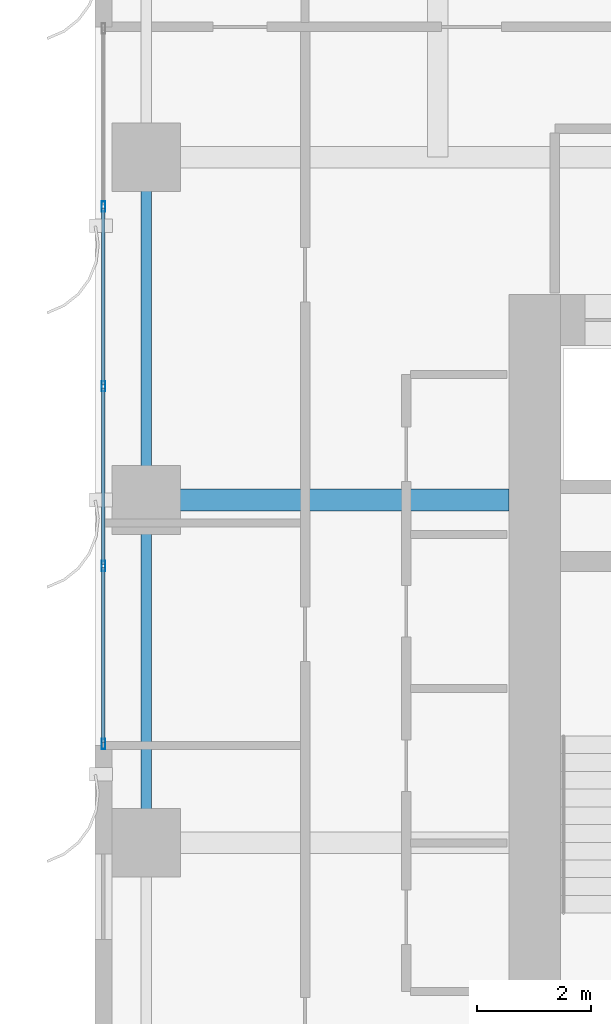
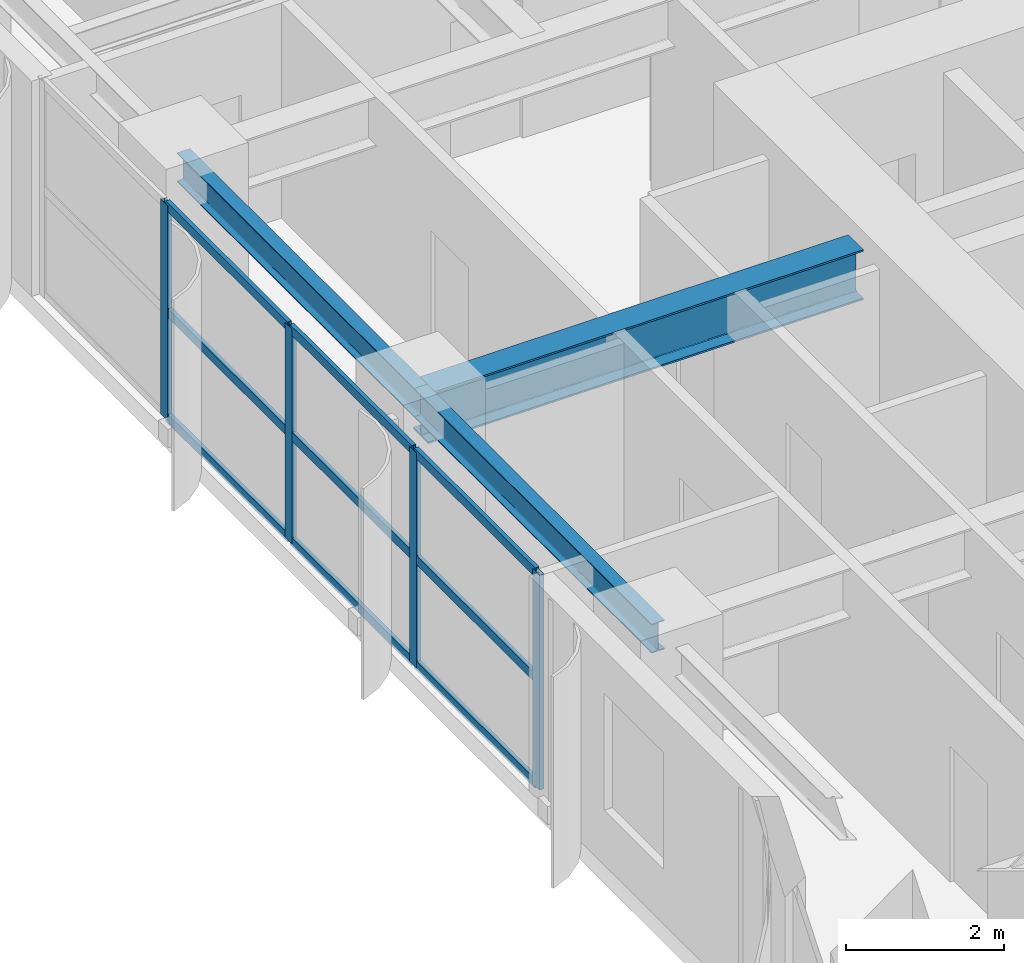
# One storey, part 5 of 22: 13 members, 3 beams, 1 element without a shape of its own.
"""IFC4 building model written with IfcOpenShell, lengths in metres."""

from ifc_helpers import new_model, si_unit, direction, frame, origin, origin_2d, place, context, subcontext, project, spatial, hollow_rectangle, i_section, extrude, source, transform, mapped, material, layer, layer_set, material_profile, profile_set, type_object, element, aggregate, save


model = new_model("IFC4")

# Units and contexts
model_context = context("Model", 3, precision=1e-05, world=origin(), true_north=direction((0.0, 1.0)))
body_context = subcontext(model_context, "Body", "Model", "MODEL_VIEW")
ifc_project = project(units=[si_unit("LENGTHUNIT", "METRE"), si_unit("AREAUNIT", "SQUARE_METRE"), si_unit("VOLUMEUNIT", "CUBIC_METRE"), si_unit("PLANEANGLEUNIT", "RADIAN"), si_unit("MASSUNIT", "GRAM", prefix="KILO")], contexts=[model_context])

# Site, building, storey
site_placement = place(None, origin())
site = spatial("IfcSite", under=ifc_project, at=site_placement, CompositionType="ELEMENT")
building_placement = place(site_placement, origin())
building = spatial("IfcBuilding", under=site, at=building_placement, Name="Khoralis Quay Care Tower", CompositionType="ELEMENT")
storey_placement = place(building_placement, frame((0.0, 0.0, 44.10009765625)))
storey = spatial("IfcBuildingStorey", under=building, at=storey_placement, Name="L11", CompositionType="ELEMENT", Elevation=44.10009765625)

# Beams
ifc_material_1 = material(Name="Steel S355", Category="steel")
ifc_material_profile_1 = material_profile(ifc_material_1, i_section(OverallWidth=0.18994140625, OverallDepth=0.449951171875, WebThickness=0.009521484375, FlangeThickness=0.0146484375, FilletRadius=0.02099609375, at=origin_2d()), Name="Steel S355")
ifc_profile_set_1 = profile_set([ifc_material_profile_1], Name="Steel S355")
beam_type_1 = type_object("IfcBeamType", Name="BM-IPE450", PredefinedType="SPANDREL", material=ifc_profile_set_1)
shared_shape_1 = source(origin(), body_context, "Body", "SweptSolid", [
    extrude(i_section(OverallWidth=0.18994140625, OverallDepth=0.449951171875, WebThickness=0.009521484375, FlangeThickness=0.0146484375, FilletRadius=0.02099609375, at=origin_2d()), origin(), (0.0, 0.0, 1.0), 6.0),
])
for number, where, z_axis, x_axis, name in (
    (1, (0.89990234375, 18.0, 3.094970703125), (0.0, 1.0, 0.0), (-1.0, 0.0, 0.0), "BM-TSP-L11-15"),
    (2, (0.89990234375, 24.0, 3.094970703125), (0.0, 1.0, 0.0), (-1.0, 0.0, 0.0), "BM-TSP-L11-16"),
):
    element("IfcBeam", number, at=place(storey_placement, frame(where, z_axis=z_axis, x_axis=x_axis)), inside=storey, type_object=beam_type_1, Name=name, PredefinedType="SPANDREL", context=body_context, shape_type="MappedRepresentation", body=[
        mapped(shared_shape_1, transform((0.0, 0.0, 0.0), scale=1.0)),
    ])
ifc_material_profile_2 = material_profile(ifc_material_1, i_section(OverallWidth=0.381103515625, OverallDepth=0.77294921875, WebThickness=0.0166015625, FlangeThickness=0.027587890625, FilletRadius=0.02197265625, at=origin_2d()), Name="Steel S355")
ifc_profile_set_2 = profile_set([ifc_material_profile_2], Name="Steel S355")
beam_type_2 = type_object("IfcBeamType", Name="BM-W760X257", PredefinedType="BEAM", material=ifc_profile_set_2)
shared_shape_2 = source(origin(), body_context, "Body", "SweptSolid", [
    extrude(i_section(OverallWidth=0.381103515625, OverallDepth=0.77294921875, WebThickness=0.0166015625, FlangeThickness=0.027587890625, FilletRadius=0.02197265625, at=origin_2d()), origin(), (0.0, 0.0, 1.0), 6.35205078125),
])
beam_placement = place(storey_placement, frame((0.89990234375, 24.0, 2.933349609375), z_axis=(1.0, 0.0, 0.0), x_axis=(0.0, 1.0, 0.0)))
element("IfcBeam", 3, at=beam_placement, inside=storey, type_object=beam_type_2, Name="BM-TGXW-L11-240", PredefinedType="BEAM", context=body_context, shape_type="MappedRepresentation", body=[
    mapped(shared_shape_2, transform((0.0, 0.0, 0.0), scale=1.0)),
])

# Curtain wall, members
ifc_material_2 = material(Name="Pale anodised aluminium", Category="aluminium")
ifc_layer = layer(ifc_material_2, 0.179931640625)
ifc_layer_set = layer_set([ifc_layer], Name="Pale anodised aluminium")
curtain_wall_type = type_object("IfcCurtainWallType", Name="CW-SYS-Z1", PredefinedType="NOTDEFINED", material=ifc_layer_set)
curtain_wall_placement = place(storey_placement, origin())
curtain_wall = element("IfcCurtainWall", 4, at=curtain_wall_placement, inside=storey, type_object=curtain_wall_type, Name="L11 Unitised Curtain Wall CW-L11-P1-E15", PredefinedType="NOTDEFINED")
ifc_material_profile_3 = material_profile(ifc_material_2, hollow_rectangle(XDim=0.06494140625, YDim=0.179931640625, WallThickness=0.00390625, at=origin_2d()), Name="Pale anodised aluminium")
ifc_profile_set_3 = profile_set([ifc_material_profile_3], Name="Pale anodised aluminium")
member_type_1 = type_object("IfcMemberType", Name="CW-MUL-180", PredefinedType="MULLION", material=ifc_profile_set_3)
shared_shape_3 = source(origin(), body_context, "Body", "SweptSolid", [
    extrude(hollow_rectangle(XDim=0.06494140625, YDim=0.179931640625, WallThickness=0.00390625, at=origin_2d()), origin(), (0.0, 0.0, 1.0), 3.31982421875),
])
member_1_placement = place(storey_placement, frame((0.14990234375, 29.135009765625, 0.0), z_axis=(0.0, 0.0, 1.0), x_axis=(1.0, 0.0, 0.0)))
member_1 = element("IfcMember", 5, at=member_1_placement, type_object=member_type_1, Name="CW1 mullion 2", PredefinedType="MULLION", context=body_context, shape_type="MappedRepresentation", body=[
    mapped(shared_shape_3, transform((0.0, 0.0, 0.0), scale=1.0)),
])
member_2_placement = place(storey_placement, frame((0.14990234375, 25.989990234375, 0.0), z_axis=(0.0, 0.0, 1.0), x_axis=(1.0, 0.0, 0.0)))
member_2 = element("IfcMember", 6, at=member_2_placement, type_object=member_type_1, Name="CW1 mullion 3", PredefinedType="MULLION", context=body_context, shape_type="MappedRepresentation", body=[
    mapped(shared_shape_3, transform((0.0, 0.0, 0.0), scale=1.0)),
])
member_3_placement = place(storey_placement, frame((0.14990234375, 22.844970703125, 0.0), z_axis=(0.0, 0.0, 1.0), x_axis=(1.0, 0.0, 0.0)))
member_3 = element("IfcMember", 7, at=member_3_placement, type_object=member_type_1, Name="CW1 mullion 4", PredefinedType="MULLION", context=body_context, shape_type="MappedRepresentation", body=[
    mapped(shared_shape_3, transform((0.0, 0.0, 0.0), scale=1.0)),
])
member_4_placement = place(storey_placement, frame((0.14990234375, 19.72998046875, 0.0), z_axis=(0.0, 0.0, 1.0), x_axis=(1.0, 0.0, 0.0)))
member_4 = element("IfcMember", 8, at=member_4_placement, type_object=member_type_1, Name="CW1 mullion 5", PredefinedType="MULLION", context=body_context, shape_type="MappedRepresentation", body=[
    mapped(shared_shape_3, transform((0.0, 0.0, 0.0), scale=1.0)),
])
ifc_material_profile_4 = material_profile(ifc_material_2, hollow_rectangle(XDim=0.06005859375, YDim=0.139892578125, WallThickness=0.00390625, at=origin_2d()), Name="Pale anodised aluminium")
ifc_profile_set_4 = profile_set([ifc_material_profile_4], Name="Pale anodised aluminium")
member_type_2 = type_object("IfcMemberType", Name="CW-TRN-140", PredefinedType="USERDEFINED", material=ifc_profile_set_4)
shared_shape_4 = source(origin(), body_context, "Body", "SweptSolid", [
    extrude(hollow_rectangle(XDim=0.06005859375, YDim=0.139892578125, WallThickness=0.00390625, at=origin_2d()), origin(), (0.0, 0.0, 1.0), 3.054931640625),
])
member_5_placement = place(storey_placement, frame((0.14990234375, 22.81494140625, 0.02978515625), z_axis=(0.0, -1.0, 0.0), x_axis=(1.0, 0.0, 0.0)))
member_5 = element("IfcMember", 9, at=member_5_placement, type_object=member_type_2, Name="CW1 transom 4.1", ObjectType="TRANSOM", PredefinedType="USERDEFINED", context=body_context, shape_type="MappedRepresentation", body=[
    mapped(shared_shape_4, transform((0.0, 0.0, 0.0), scale=1.0)),
])
member_6_placement = place(storey_placement, frame((0.14990234375, 22.81494140625, 1.659912109375), z_axis=(0.0, -1.0, 0.0), x_axis=(1.0, 0.0, 0.0)))
member_6 = element("IfcMember", 10, at=member_6_placement, type_object=member_type_2, Name="CW1 transom 4.2", ObjectType="TRANSOM", PredefinedType="USERDEFINED", context=body_context, shape_type="MappedRepresentation", body=[
    mapped(shared_shape_4, transform((0.0, 0.0, 0.0), scale=1.0)),
])
member_7_placement = place(storey_placement, frame((0.14990234375, 22.81494140625, 3.289794921875), z_axis=(0.0, -1.0, 0.0), x_axis=(1.0, 0.0, 0.0)))
member_7 = element("IfcMember", 11, at=member_7_placement, type_object=member_type_2, Name="CW1 transom 4.3", ObjectType="TRANSOM", PredefinedType="USERDEFINED", context=body_context, shape_type="MappedRepresentation", body=[
    mapped(shared_shape_4, transform((0.0, 0.0, 0.0), scale=1.0)),
])
shared_shape_5 = source(origin(), body_context, "Body", "SweptSolid", [
    extrude(hollow_rectangle(XDim=0.06005859375, YDim=0.139892578125, WallThickness=0.00390625, at=origin_2d()), origin(), (0.0, 0.0, 1.0), 3.0849609375),
])
member_8_placement = place(storey_placement, frame((0.14990234375, 29.10498046875, 0.02978515625), z_axis=(0.0, -1.0, 0.0), x_axis=(1.0, 0.0, 0.0)))
member_8 = element("IfcMember", 12, at=member_8_placement, type_object=member_type_2, Name="CW1 transom 2.1", ObjectType="TRANSOM", PredefinedType="USERDEFINED", context=body_context, shape_type="MappedRepresentation", body=[
    mapped(shared_shape_5, transform((0.0, 0.0, 0.0), scale=1.0)),
])
member_9_placement = place(storey_placement, frame((0.14990234375, 29.10498046875, 1.659912109375), z_axis=(0.0, -1.0, 0.0), x_axis=(1.0, 0.0, 0.0)))
member_9 = element("IfcMember", 13, at=member_9_placement, type_object=member_type_2, Name="CW1 transom 2.2", ObjectType="TRANSOM", PredefinedType="USERDEFINED", context=body_context, shape_type="MappedRepresentation", body=[
    mapped(shared_shape_5, transform((0.0, 0.0, 0.0), scale=1.0)),
])
member_10_placement = place(storey_placement, frame((0.14990234375, 29.10498046875, 3.289794921875), z_axis=(0.0, -1.0, 0.0), x_axis=(1.0, 0.0, 0.0)))
member_10 = element("IfcMember", 14, at=member_10_placement, type_object=member_type_2, Name="CW1 transom 2.3", ObjectType="TRANSOM", PredefinedType="USERDEFINED", context=body_context, shape_type="MappedRepresentation", body=[
    mapped(shared_shape_5, transform((0.0, 0.0, 0.0), scale=1.0)),
])
member_11_placement = place(storey_placement, frame((0.14990234375, 25.9599609375, 0.02978515625), z_axis=(0.0, -1.0, 0.0), x_axis=(1.0, 0.0, 0.0)))
member_11 = element("IfcMember", 15, at=member_11_placement, type_object=member_type_2, Name="CW1 transom 3.1", ObjectType="TRANSOM", PredefinedType="USERDEFINED", context=body_context, shape_type="MappedRepresentation", body=[
    mapped(shared_shape_5, transform((0.0, 0.0, 0.0), scale=1.0)),
])
member_12_placement = place(storey_placement, frame((0.14990234375, 25.9599609375, 1.659912109375), z_axis=(0.0, -1.0, 0.0), x_axis=(1.0, 0.0, 0.0)))
member_12 = element("IfcMember", 16, at=member_12_placement, type_object=member_type_2, Name="CW1 transom 3.2", ObjectType="TRANSOM", PredefinedType="USERDEFINED", context=body_context, shape_type="MappedRepresentation", body=[
    mapped(shared_shape_5, transform((0.0, 0.0, 0.0), scale=1.0)),
])
member_13_placement = place(storey_placement, frame((0.14990234375, 25.9599609375, 3.289794921875), z_axis=(0.0, -1.0, 0.0), x_axis=(1.0, 0.0, 0.0)))
member_13 = element("IfcMember", 17, at=member_13_placement, type_object=member_type_2, Name="CW1 transom 3.3", ObjectType="TRANSOM", PredefinedType="USERDEFINED", context=body_context, shape_type="MappedRepresentation", body=[
    mapped(shared_shape_5, transform((0.0, 0.0, 0.0), scale=1.0)),
])
aggregate(curtain_wall, [member_1, member_2, member_3, member_4, member_8, member_9, member_10, member_11, member_12, member_13, member_5, member_6, member_7])

save(model, "model.ifc")
